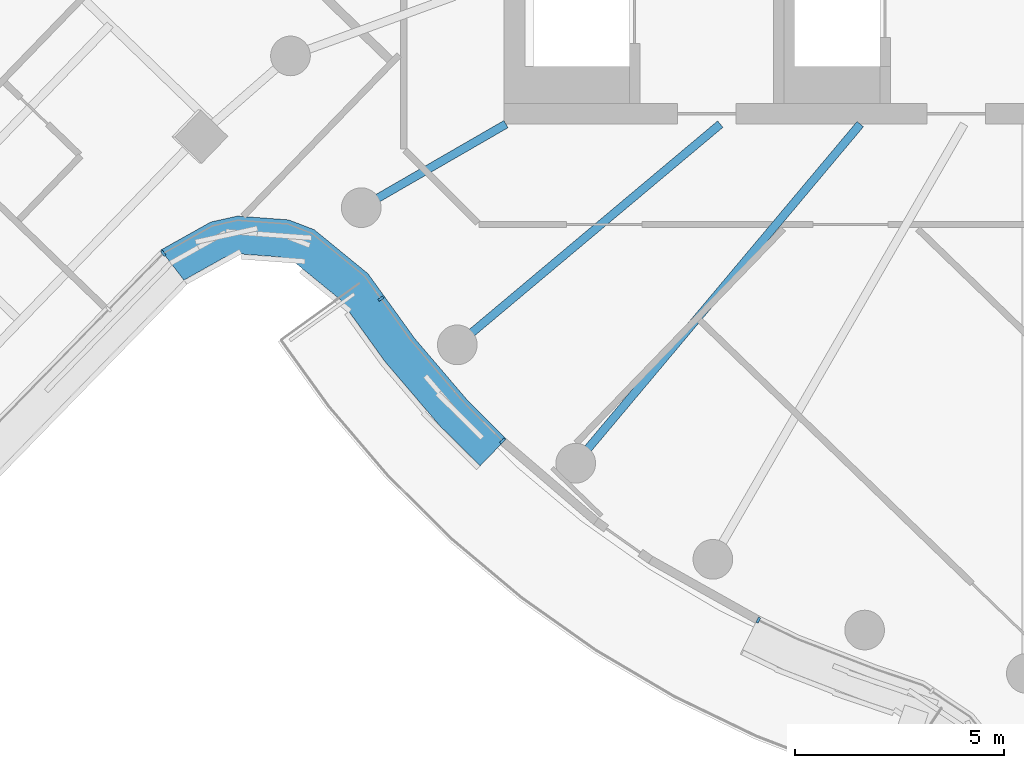
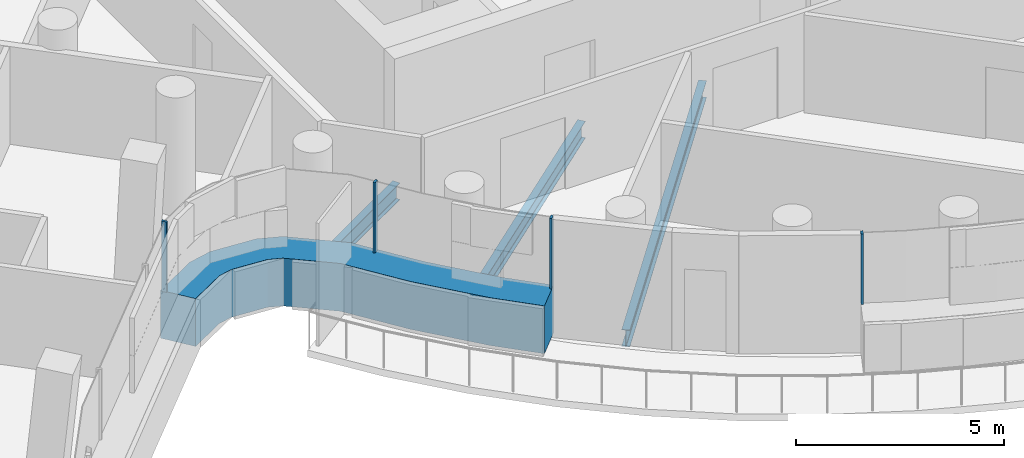
# One storey, part 3 of 31: 5 members, 3 beams, 1 element without a shape of its own.
"""IFC4 building model written with IfcOpenShell, lengths in metres."""

from ifc_helpers import new_model, si_unit, direction, frame, origin, origin_2d, place, context, subcontext, project, spatial, polyline, rectangle, i_section, outline, extrude, material, layer, layer_set, material_profile, profile_set, type_object, element, aggregate, save


model = new_model("IFC4")

# Units and contexts
model_context = context("Model", 3, precision=1e-05, world=origin(), true_north=direction((0.0, 1.0)))
body_context = subcontext(model_context, "Body", "Model", "MODEL_VIEW")
ifc_project = project(units=[si_unit("LENGTHUNIT", "METRE"), si_unit("AREAUNIT", "SQUARE_METRE"), si_unit("VOLUMEUNIT", "CUBIC_METRE"), si_unit("PLANEANGLEUNIT", "RADIAN"), si_unit("MASSUNIT", "GRAM", prefix="KILO")], contexts=[model_context])

# Site, building, storey
site_placement = place(None, origin())
site = spatial("IfcSite", under=ifc_project, at=site_placement, CompositionType="ELEMENT")
building_placement = place(site_placement, origin())
building = spatial("IfcBuilding", under=site, at=building_placement, Name="Tamarind Cross Interchange Tower", CompositionType="ELEMENT")
storey_placement = place(building_placement, frame((0.0, 0.0, 200.5)))
storey = spatial("IfcBuildingStorey", under=building, at=storey_placement, Name="L50", CompositionType="ELEMENT", Elevation=200.5)

# Beams
ifc_material_1 = material(Name="Steel Q355B", Category="steel")
ifc_material_profile_1 = material_profile(ifc_material_1, i_section(OverallWidth=0.198974609375, OverallDepth=0.49609375, WebThickness=0.009033203125, FlangeThickness=0.013916015625, FilletRadius=0.012939453125, at=origin_2d()), Name="HN 496x199x9x14")
ifc_profile_set_1 = profile_set([ifc_material_profile_1], Name="Steel Q355B")
beam_type = type_object("IfcBeamType", Name="Composite beam HN 496x199x9x14 Q355B", PredefinedType="BEAM", material=ifc_profile_set_1)
beam_1_placement = place(storey_placement, frame((-19.918701171875, -11.5, -0.387939453125), z_axis=(0.866026010844, 0.49999894854, 0.0), x_axis=(-0.49999894854, 0.866026010844, 0.0)))
element("IfcBeam", 1, at=beam_1_placement, inside=storey, type_object=beam_type, Name="Beam HH21", PredefinedType="BEAM", context=body_context, shape_type="SweptSolid", body=[
    extrude(i_section(OverallWidth=0.198974609375, OverallDepth=0.49609375, WebThickness=0.009033203125, FlangeThickness=0.013916015625, FilletRadius=0.012939453125, at=origin_2d()), origin(), (0.0, 0.0, 1.0), 4.0),
])
beam_2_placement = place(storey_placement, frame((-17.619140625, -14.7841796875, -0.387939453125), z_axis=(0.766040580814, 0.642792212574, 0.0), x_axis=(-0.642792212574, 0.766040580814, 0.0)))
element("IfcBeam", 2, at=beam_2_placement, inside=storey, type_object=beam_type, Name="Beam HH22", PredefinedType="BEAM", context=body_context, shape_type="SweptSolid", body=[
    extrude(i_section(OverallWidth=0.198974609375, OverallDepth=0.49609375, WebThickness=0.009033203125, FlangeThickness=0.013916015625, FilletRadius=0.012939453125, at=origin_2d()), origin(), (0.0, 0.0, 1.0), 8.220703125),
])
beam_3_placement = place(storey_placement, frame((-14.7841796875, -17.619140625, -0.387939453125), z_axis=(0.642786293979, 0.766045547127, 0.0), x_axis=(-0.766045547127, 0.642786293979, 0.0)))
element("IfcBeam", 3, at=beam_3_placement, inside=storey, type_object=beam_type, Name="Beam HH23", PredefinedType="BEAM", context=body_context, shape_type="SweptSolid", body=[
    extrude(i_section(OverallWidth=0.198974609375, OverallDepth=0.49609375, WebThickness=0.009033203125, FlangeThickness=0.013916015625, FilletRadius=0.012939453125, at=origin_2d()), origin(), (0.0, 0.0, 1.0), 10.598876953125),
])

# Curtain wall, members
ifc_material_2 = material(Name="Aluminium 6063-T6", Category="aluminium")
ifc_layer = layer(ifc_material_2, 0.139892578125)
ifc_layer_set = layer_set([ifc_layer], Name="Aluminium 6063-T6")
curtain_wall_type = type_object("IfcCurtainWallType", Name="Hotel curtain wall, 4.5 m bays", PredefinedType="NOTDEFINED", material=ifc_layer_set)
curtain_wall_placement = place(storey_placement, origin())
curtain_wall = element("IfcCurtainWall", 4, at=curtain_wall_placement, inside=storey, type_object=curtain_wall_type, Name="CWS-L50-02", PredefinedType="NOTDEFINED")
ifc_material_3 = material(Name="Aluminium and insulated spandrel panel", Category="aluminium")
member_type_1 = type_object("IfcMemberType", Name="Floor-edge blade transom", PredefinedType="USERDEFINED", material=ifc_material_3)
member_1_placement = place(storey_placement, origin())
member_1 = element("IfcMember", 5, at=member_1_placement, type_object=member_type_1, Name="CWT-L50-02-0", ObjectType="TRANSOM", PredefinedType="USERDEFINED", context=body_context, shape_type="SweptSolid", body=[
    extrude(outline(polyline([(-24.718505859375, -12.51318359375), (-23.518310546875, -11.841552734375), (-22.8818359375, -11.70068359375), (-21.6572265625, -11.791748046875), (-21.044921875, -12.026611328125), (-19.7578125, -13.078857421875), (-18.636474609375, -14.634521484375), (-17.3642578125, -16.12353515625), (-16.4462890625, -17.03369140625), (-17.071533203125, -17.68115234375), (-18.0244140625, -16.736572265625), (-19.3447265625, -15.19091796875), (-20.4189453125, -13.700927734375), (-21.50244140625, -12.815185546875), (-21.85595703125, -12.679443359375), (-22.816650390625, -12.60791015625), (-23.1943359375, -12.691650390625), (-24.1650390625, -13.23486328125), (-24.718505859375, -12.51318359375)])), origin(), (0.0, 0.0, 1.0), 1.39990234375),
])
ifc_material_profile_2 = material_profile(ifc_material_2, rectangle(XDim=0.06005859375, YDim=0.139892578125, at=origin_2d()), Name="Mullion CW2")
ifc_profile_set_2 = profile_set([ifc_material_profile_2], Name="Aluminium 6063-T6")
member_type_2 = type_object("IfcMemberType", Name="Mullion CW2", PredefinedType="MULLION", material=ifc_profile_set_2)
member_2_placement = place(storey_placement, frame((-24.656982421875, -12.59326171875, 1.39990234375), z_axis=(0.0, 0.0, 1.0), x_axis=(0.793495517633, 0.608576095075, 0.0)))
member_2 = element("IfcMember", 6, at=member_2_placement, type_object=member_type_2, Name="CWM-L50-02-00", PredefinedType="MULLION", context=body_context, shape_type="SweptSolid", body=[
    extrude(rectangle(XDim=0.06005859375, YDim=0.139892578125, at=origin_2d()), origin(), (0.0, 0.0, 1.0), 2.06005859375),
])
member_3_placement = place(storey_placement, frame((-19.448486328125, -13.678955078125, 1.39990234375), z_axis=(0.0, 0.0, 1.0), x_axis=(0.584744678632, -0.811217394298, 0.0)))
member_3 = element("IfcMember", 7, at=member_3_placement, type_object=member_type_2, Name="CWM-L50-02-01", PredefinedType="MULLION", context=body_context, shape_type="SweptSolid", body=[
    extrude(rectangle(XDim=0.06005859375, YDim=0.139892578125, at=origin_2d()), origin(), (0.0, 0.0, 1.0), 2.06005859375),
])
member_4_placement = place(storey_placement, frame((-16.536865234375, -17.084716796875, 1.39990234375), z_axis=(0.0, 0.0, 1.0), x_axis=(0.710143317658, -0.704057148523, 0.0)))
member_4 = element("IfcMember", 8, at=member_4_placement, type_object=member_type_2, Name="CWM-L50-02-02", PredefinedType="MULLION", context=body_context, shape_type="SweptSolid", body=[
    extrude(rectangle(XDim=0.06005859375, YDim=0.139892578125, at=origin_2d()), origin(), (0.0, 0.0, 1.0), 2.06005859375),
])
member_5_placement = place(storey_placement, frame((-10.411376953125, -21.374755859375, 1.39990234375), z_axis=(0.0, 0.0, 1.0), x_axis=(0.900272776334, -0.435326231914, 0.0)))
member_5 = element("IfcMember", 9, at=member_5_placement, type_object=member_type_2, Name="CWM-L50-02-03", PredefinedType="MULLION", context=body_context, shape_type="SweptSolid", body=[
    extrude(rectangle(XDim=0.06005859375, YDim=0.139892578125, at=origin_2d()), origin(), (0.0, 0.0, 1.0), 2.06005859375),
])
aggregate(curtain_wall, [member_2, member_3, member_4, member_5, member_1])

save(model, "model.ifc")
